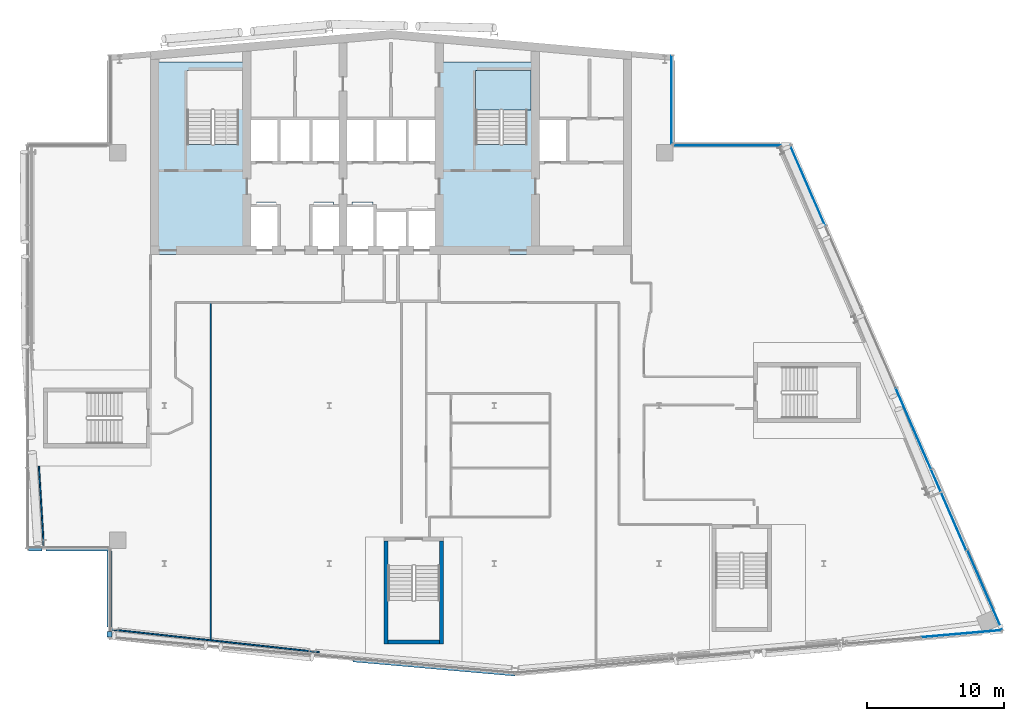
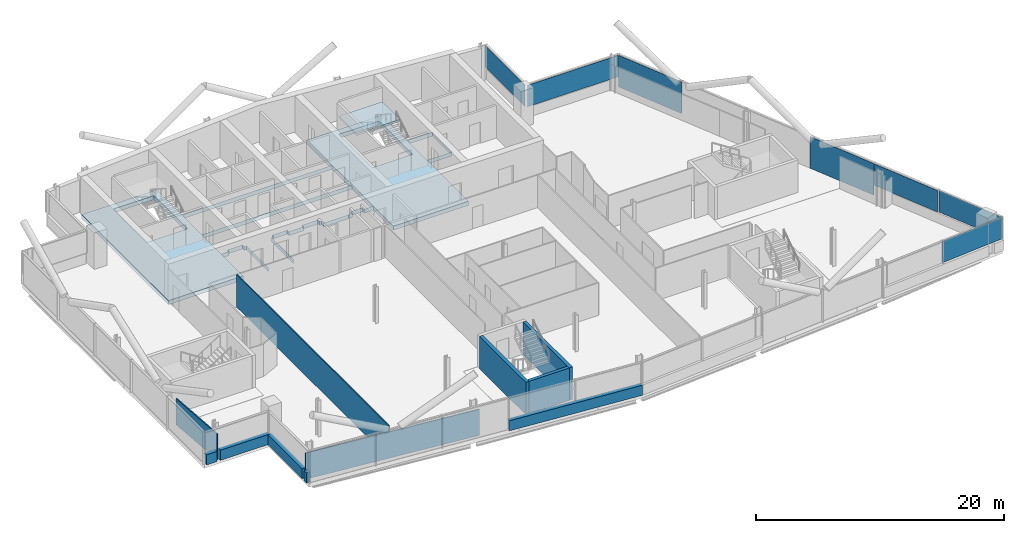
# One storey, part 14 of 26: 11 walls, 7 plates, 2 slabs, 5 elements without a shape of their own.
"""IFC4 building model written with IfcOpenShell, lengths in metres."""

from ifc_helpers import new_model, si_unit, direction, frame, frame_2d, origin, origin_2d, place, context, subcontext, project, spatial, polyline, rectangle, outline, extrude, material, layer, layer_set, type_object, element, aggregate, save


model = new_model("IFC4")

# Units and contexts
model_context = context("Model", 3, precision=1e-05, world=origin(), true_north=direction((0.0, 1.0)))
body_context = subcontext(model_context, "Body", "Model", "MODEL_VIEW")
ifc_project = project(units=[si_unit("LENGTHUNIT", "METRE"), si_unit("AREAUNIT", "SQUARE_METRE"), si_unit("VOLUMEUNIT", "CUBIC_METRE"), si_unit("PLANEANGLEUNIT", "RADIAN"), si_unit("MASSUNIT", "GRAM", prefix="KILO")], contexts=[model_context])

# Site, building, storey
site_placement = place(None, origin())
site = spatial("IfcSite", under=ifc_project, at=site_placement, CompositionType="ELEMENT")
building_placement = place(site_placement, origin())
building = spatial("IfcBuilding", under=site, at=building_placement, Name="Wharfspan Tower", CompositionType="ELEMENT")
storey_placement = place(building_placement, frame((0.0, 0.0, 235.899902)))
storey = spatial("IfcBuildingStorey", under=building, at=storey_placement, Name="L59", CompositionType="ELEMENT", Elevation=235.899902)

# Curtain wall, plate
ifc_material_1 = material(Name="Aluminium 6063-T6", Category="aluminium")
curtain_wall_type_1 = type_object("IfcCurtainWallType", Name="CURTAIN WALL FACETED FRONT", PredefinedType="NOTDEFINED", material=ifc_material_1)
curtain_wall_1_placement = place(storey_placement, origin())
curtain_wall_1 = element("IfcCurtainWall", 1, at=curtain_wall_1_placement, inside=storey, type_object=curtain_wall_type_1, Name="Curtain wall S2", PredefinedType="NOTDEFINED")
ifc_material_2 = material(Name="Glass clear low-iron double glazing", Category="glass")
ifc_layer_1 = layer(ifc_material_2, 0.040039)
ifc_layer_set_1 = layer_set([ifc_layer_1], Name="Glass clear low-iron double glazing")
plate_type_1 = type_object("IfcPlateType", Name="GLASS PANEL FACETED FRONT 40", PredefinedType="CURTAIN_PANEL", material=ifc_layer_set_1)
plate_1_placement = place(storey_placement, frame((82.021484, 6.399658, 1.0), z_axis=(0.0, 0.0, 1.0), x_axis=(0.996197, 0.087156, 0.0)))
plate_1 = element("IfcPlate", 2, at=plate_1_placement, type_object=plate_type_1, Name="Curtain wall S2 panel 6", PredefinedType="CURTAIN_PANEL", context=body_context, shape_type="SweptSolid", body=[
    extrude(rectangle(XDim=5.849365, YDim=0.040039, at=origin_2d()), origin(), (0.0, 0.0, 1.0), 2.120117),
])
aggregate(curtain_wall_1, [plate_1])

# Curtain wall, plates
curtain_wall_type_2 = type_object("IfcCurtainWallType", Name="CURTAIN WALL PROW AND END", PredefinedType="NOTDEFINED", material=ifc_material_1)
curtain_wall_2_placement = place(storey_placement, origin())
curtain_wall_2 = element("IfcCurtainWall", 3, at=curtain_wall_2_placement, inside=storey, type_object=curtain_wall_type_2, Name="Curtain wall E", PredefinedType="NOTDEFINED")
ifc_layer_2 = layer(ifc_material_2, 0.040039)
ifc_layer_set_2 = layer_set([ifc_layer_2], Name="Glass clear low-iron double glazing")
plate_type_2 = type_object("IfcPlateType", Name="GLASS PANEL PROW AND END 40", PredefinedType="CURTAIN_PANEL", material=ifc_layer_set_2)
plate_2_placement = place(storey_placement, frame((83.711426, 9.563721, 1.0), z_axis=(0.0, 0.0, 1.0), x_axis=(-0.398727, 0.917072, 0.0)))
plate_2 = element("IfcPlate", 4, at=plate_2_placement, type_object=plate_type_2, Name="Curtain wall E panel 1", PredefinedType="CURTAIN_PANEL", context=body_context, shape_type="SweptSolid", body=[
    extrude(rectangle(XDim=6.343506, YDim=0.040039, at=origin_2d()), origin(), (0.0, 0.0, 1.0), 2.120117),
])
plate_3_placement = place(storey_placement, frame((81.078857, 15.418213, 1.0), z_axis=(0.0, 0.0, 1.0), x_axis=(-0.398727, 0.917072, 0.0)))
plate_3 = element("IfcPlate", 5, at=plate_3_placement, type_object=plate_type_2, Name="Curtain wall E panel 2", PredefinedType="CURTAIN_PANEL", context=body_context, shape_type="SweptSolid", body=[
    extrude(rectangle(XDim=6.373535, YDim=0.040039, at=origin_2d()), origin(), (0.0, 0.0, 1.0), 2.120117),
])

# Curtain wall, plate
curtain_wall_3_placement = place(storey_placement, origin())
curtain_wall_3 = element("IfcCurtainWall", 6, at=curtain_wall_3_placement, inside=storey, type_object=curtain_wall_type_2, Name="Curtain wall NRE-H", PredefinedType="NOTDEFINED")
plate_4_placement = place(storey_placement, frame((65.304443, 41.919922, 1.0), z_axis=(0.0, 0.0, 1.0), x_axis=(-1.0, 0.0, 0.0)))
plate_4 = element("IfcPlate", 7, at=plate_4_placement, type_object=plate_type_2, Name="Curtain wall NRE-H panel 1", PredefinedType="CURTAIN_PANEL", context=body_context, shape_type="SweptSolid", body=[
    extrude(rectangle(XDim=8.48877, YDim=0.040039, at=origin_2d()), origin(), (0.0, 0.0, 1.0), 2.120117),
])
aggregate(curtain_wall_3, [plate_4])

curtain_wall_4_placement = place(storey_placement, origin())
curtain_wall_4 = element("IfcCurtainWall", 8, at=curtain_wall_4_placement, inside=storey, type_object=curtain_wall_type_2, Name="Curtain wall NRE-V", PredefinedType="NOTDEFINED")
plate_5_placement = place(storey_placement, frame((60.919922, 45.262451, 1.0), z_axis=(0.0, 0.0, 1.0), x_axis=(0.0, 1.0, 0.0)))
plate_5 = element("IfcPlate", 9, at=plate_5_placement, type_object=plate_type_2, Name="Curtain wall NRE-V panel 1", PredefinedType="CURTAIN_PANEL", context=body_context, shape_type="SweptSolid", body=[
    extrude(rectangle(XDim=6.405029, YDim=0.040039, at=origin_2d()), origin(), (0.0, 0.0, 1.0), 2.120117),
])
aggregate(curtain_wall_4, [plate_5])

# Plate
ifc_material_3 = material(Name="Aluminium composite opaque insulated panel", Category="aluminium")
ifc_layer_3 = layer(ifc_material_3, 0.040039)
ifc_layer_set_3 = layer_set([ifc_layer_3], Name="Aluminium composite opaque insulated panel")
plate_type_3 = type_object("IfcPlateType", Name="INFILL PANEL PROW AND END OPAQUE 40", PredefinedType="SHEET", material=ifc_layer_set_3)
plate_6_placement = place(storey_placement, frame((78.513672, 21.318115, 0.0), z_axis=(0.0, 0.0, 1.0), x_axis=(-0.398727, 0.917072, 0.0)))
plate_6 = element("IfcPlate", 10, at=plate_6_placement, type_object=plate_type_3, Name="Curtain wall E panel 3", PredefinedType="SHEET", context=body_context, shape_type="SweptSolid", body=[
    extrude(rectangle(XDim=6.373535, YDim=0.040039, at=origin_2d()), origin(), (0.0, 0.0, 1.0), 3.120117),
])

plate_7_placement = place(storey_placement, frame((70.823975, 39.004395, 0.0), z_axis=(0.0, 0.0, 1.0), x_axis=(-0.398727, 0.917072, 0.0)))
plate_7 = element("IfcPlate", 11, at=plate_7_placement, type_object=plate_type_3, Name="Curtain wall E panel 6", PredefinedType="SHEET", context=body_context, shape_type="SweptSolid", body=[
    extrude(rectangle(XDim=6.343506, YDim=0.040039, at=origin_2d()), origin(), (0.0, 0.0, 1.0), 3.120117),
])

aggregate(curtain_wall_2, [plate_2, plate_3, plate_6, plate_7])

# Slab
ifc_material_4 = material(Name="Concrete C40/50", Category="concrete")
ifc_layer_4 = layer(ifc_material_4, 0.399902)
ifc_layer_set_4 = layer_set([ifc_layer_4], Name="Concrete C40/50")
slab_type_1 = type_object("IfcSlabType", Name="Post-tensioned flat slab 400", PredefinedType="FLOOR", material=ifc_layer_set_4)
slab_1_placement = place(storey_placement, frame((0.0, 0.0, -0.400146)))
element("IfcSlab", 12, at=slab_1_placement, inside=storey, type_object=slab_type_1, Name="Core floor slab L59 part 2", PredefinedType="FLOOR", context=body_context, shape_type="SweptSolid", body=[
    extrude(outline(polyline([(23.0, 34.0), (29.998047, 34.0), (29.998047, 37.550049), (29.998047, 37.550293), (29.998047, 37.550293), (29.998047, 37.550537), (29.998291, 37.550781), (29.998291, 37.550781), (29.998291, 37.551025), (29.998535, 37.55127), (29.998535, 37.551514), (29.998779, 37.551514), (29.998779, 37.551758), (29.999023, 37.551758), (29.999268, 37.551758), (29.999512, 37.552002), (29.999512, 37.552002), (29.999756, 37.552002), (30.0, 37.552002), (30.7146, 37.552002), (30.7146, 37.800049), (30.7146, 37.800293), (30.7146, 37.800293), (30.714844, 37.800537), (30.714844, 37.800781), (30.714844, 37.800781), (30.715088, 37.801025), (30.715088, 37.80127), (30.715332, 37.801514), (30.715332, 37.801514), (30.715576, 37.801758), (30.71582, 37.801758), (30.71582, 37.801758), (30.716064, 37.802002), (30.716309, 37.802002), (30.716553, 37.802002), (30.716797, 37.802002), (32.116699, 37.802002), (32.116943, 37.802002), (32.117188, 37.802002), (32.117188, 37.802002), (32.117432, 37.801758), (32.117676, 37.801758), (32.11792, 37.801758), (32.11792, 37.801514), (32.118164, 37.801514), (32.118164, 37.80127), (32.118408, 37.801025), (32.118408, 37.800781), (32.118408, 37.800781), (32.118652, 37.800537), (32.118652, 37.800293), (32.118652, 37.800293), (32.118652, 37.800049), (32.118652, 37.552002), (32.333252, 37.552002), (32.333496, 37.552002), (32.33374, 37.552002), (32.333984, 37.552002), (32.333984, 37.551758), (32.334229, 37.551758), (32.334473, 37.551758), (32.334717, 37.551514), (32.334717, 37.551514), (32.334961, 37.55127), (32.334961, 37.551025), (32.335205, 37.550781), (32.335205, 37.550781), (32.335205, 37.550537), (32.335205, 37.550293), (32.335205, 37.550293), (32.335205, 37.550049), (32.335205, 34.0), (32.341309, 34.0), (32.341309, 37.558105), (32.126709, 37.558105), (32.126465, 37.558105), (32.126221, 37.558105), (32.126221, 37.558105), (32.125977, 37.558105), (32.125732, 37.558105), (32.125488, 37.55835), (32.125488, 37.558594), (32.125244, 37.558594), (32.125244, 37.558594), (32.125, 37.558838), (32.125, 37.559082), (32.125, 37.559082), (32.124756, 37.559326), (32.124756, 37.55957), (32.124756, 37.559814), (32.124756, 37.560059), (32.124756, 37.808105), (30.70874, 37.808105), (30.70874, 37.560059), (30.70874, 37.559814), (30.70874, 37.55957), (30.708496, 37.559326), (30.708496, 37.559082), (30.708496, 37.559082), (30.708496, 37.558838), (30.708252, 37.558594), (30.708008, 37.558594), (30.708008, 37.558594), (30.707764, 37.55835), (30.70752, 37.558105), (30.70752, 37.558105), (30.707275, 37.558105), (30.707031, 37.558105), (30.706787, 37.558105), (30.706787, 37.558105), (30.01001, 37.558105), (30.009766, 37.558105), (30.009521, 37.558105), (30.009521, 37.558105), (30.009277, 37.558105), (30.009033, 37.558105), (30.008789, 37.55835), (30.008789, 37.558594), (30.008545, 37.558594), (30.008545, 37.558594), (30.008301, 37.558838), (30.008301, 37.559082), (30.008301, 37.559082), (30.008057, 37.559326), (30.008057, 37.55957), (30.008057, 37.559814), (30.008057, 37.560059), (30.008057, 40.689941), (30.008057, 40.690186), (30.008057, 40.69043), (30.008057, 40.690674), (30.008301, 40.690918), (30.008301, 40.690918), (30.008301, 40.691162), (30.008545, 40.691406), (30.008545, 40.691406), (30.008789, 40.691406), (30.008789, 40.69165), (30.009033, 40.691895), (30.009277, 40.691895), (30.009521, 40.691895), (30.009521, 40.691895), (30.009766, 40.691895), (30.01001, 40.691895), (43.98999, 40.691895), (43.990234, 40.691895), (43.990479, 40.691895), (43.990479, 40.691895), (43.990723, 40.691895), (43.990967, 40.691895), (43.991211, 40.69165), (43.991211, 40.691406), (43.991455, 40.691406), (43.991455, 40.691406), (43.991699, 40.691162), (43.991699, 40.690918), (43.991699, 40.690918), (43.991943, 40.690674), (43.991943, 40.69043), (43.991943, 40.690186), (43.991943, 40.689941), (43.991943, 37.26001), (43.991943, 37.259766), (43.991943, 37.259521), (43.991943, 37.259521), (43.991699, 37.259277), (43.991699, 37.259033), (43.991699, 37.258789), (43.991455, 37.258789), (43.991455, 37.258545), (43.991211, 37.258545), (43.991211, 37.258301), (43.990967, 37.258301), (43.990723, 37.258301), (43.990479, 37.258057), (43.990479, 37.258057), (43.990234, 37.258057), (43.98999, 37.258057), (43.143311, 37.258057), (43.143066, 37.258057), (43.142822, 37.258057), (43.142578, 37.258057), (43.142578, 37.258301), (43.142334, 37.258301), (43.14209, 37.258301), (43.14209, 37.258545), (43.141846, 37.258545), (43.141846, 37.258789), (43.141602, 37.258789), (43.141602, 37.259033), (43.141602, 37.259277), (43.141357, 37.259521), (43.141357, 37.259521), (43.141357, 37.259766), (43.141357, 37.26001), (43.141357, 37.508057), (42.025391, 37.508057), (42.025391, 37.26001), (42.025391, 37.259766), (42.025391, 37.259521), (42.025146, 37.259521), (42.025146, 37.259277), (42.025146, 37.259033), (42.024902, 37.258789), (42.024902, 37.258789), (42.024658, 37.258545), (42.024658, 37.258545), (42.024414, 37.258301), (42.02417, 37.258301), (42.02417, 37.258301), (42.023926, 37.258057), (42.023682, 37.258057), (42.023438, 37.258057), (42.023193, 37.258057), (41.658691, 37.258057), (41.658691, 37.209961), (41.658691, 37.209717), (41.658691, 37.209717), (41.658691, 37.209473), (41.658447, 37.209229), (41.658447, 37.208984), (41.658447, 37.208984), (41.658203, 37.20874), (41.658203, 37.208496), (41.657959, 37.208496), (41.657715, 37.208252), (41.657715, 37.208252), (41.657471, 37.208252), (41.657227, 37.208008), (41.656982, 37.208008), (41.656982, 37.208008), (41.656738, 37.208008), (39.343262, 37.208008), (39.343018, 37.208008), (39.343018, 37.208008), (39.342773, 37.208008), (39.342529, 37.208252), (39.342285, 37.208252), (39.342285, 37.208252), (39.342041, 37.208496), (39.341797, 37.208496), (39.341797, 37.20874), (39.341553, 37.208984), (39.341553, 37.208984), (39.341553, 37.209229), (39.341309, 37.209473), (39.341309, 37.209717), (39.341309, 37.209717), (39.341309, 37.209961), (39.341309, 37.558105), (39.166748, 37.558105), (39.166504, 37.558105), (39.16626, 37.558105), (39.166016, 37.558105), (39.166016, 37.558105), (39.165771, 37.558105), (39.165527, 37.55835), (39.165283, 37.558594), (39.165283, 37.558594), (39.165283, 37.558594), (39.165039, 37.558838), (39.164795, 37.559082), (39.164795, 37.559082), (39.164795, 37.559326), (39.164795, 37.55957), (39.164795, 37.559814), (39.164795, 37.560059), (39.164795, 37.808105), (37.668701, 37.808105), (37.668701, 37.560059), (37.668701, 37.559814), (37.668701, 37.55957), (37.668701, 37.559326), (37.668457, 37.559082), (37.668457, 37.559082), (37.668457, 37.558838), (37.668213, 37.558594), (37.668213, 37.558594), (37.667969, 37.558594), (37.667725, 37.55835), (37.66748, 37.558105), (37.66748, 37.558105), (37.667236, 37.558105), (37.666992, 37.558105), (37.666992, 37.558105), (37.666748, 37.558105), (36.293213, 37.558105), (36.293213, 37.558105), (36.292969, 37.558105), (36.292725, 37.558105), (36.29248, 37.558105), (36.29248, 37.558105), (36.292236, 37.55835), (36.291992, 37.558594), (36.291992, 37.558594), (36.291748, 37.558594), (36.291504, 37.558838), (36.291504, 37.559082), (36.291504, 37.559082), (36.291504, 37.559326), (36.29126, 37.55957), (36.29126, 37.559814), (36.29126, 37.560059), (36.29126, 37.808105), (34.875244, 37.808105), (34.875244, 37.560059), (34.875244, 37.559814), (34.875244, 37.55957), (34.875244, 37.559326), (34.875, 37.559082), (34.875, 37.559082), (34.875, 37.558838), (34.874756, 37.558594), (34.874756, 37.558594), (34.874512, 37.558594), (34.874512, 37.55835), (34.874268, 37.558105), (34.874023, 37.558105), (34.873779, 37.558105), (34.873779, 37.558105), (34.873535, 37.558105), (34.873291, 37.558105), (34.658691, 37.558105), (34.658691, 34.0), (34.664795, 34.0), (34.664795, 37.550049), (34.664795, 37.550293), (34.664795, 37.550293), (34.664795, 37.550537), (34.664795, 37.550781), (34.664795, 37.550781), (34.665039, 37.551025), (34.665039, 37.55127), (34.665283, 37.551514), (34.665283, 37.551514), (34.665527, 37.551758), (34.665771, 37.551758), (34.666016, 37.551758), (34.666016, 37.552002), (34.66626, 37.552002), (34.666504, 37.552002), (34.666748, 37.552002), (34.881348, 37.552002), (34.881348, 37.800049), (34.881348, 37.800293), (34.881348, 37.800293), (34.881348, 37.800537), (34.881592, 37.800781), (34.881592, 37.800781), (34.881592, 37.801025), (34.881836, 37.80127), (34.881836, 37.801514), (34.88208, 37.801514), (34.88208, 37.801758), (34.882324, 37.801758), (34.882568, 37.801758), (34.882812, 37.802002), (34.882812, 37.802002), (34.883057, 37.802002), (34.883301, 37.802002), (36.283203, 37.802002), (36.283447, 37.802002), (36.283691, 37.802002), (36.283936, 37.802002), (36.28418, 37.801758), (36.28418, 37.801758), (36.284424, 37.801758), (36.284668, 37.801514), (36.284668, 37.801514), (36.284912, 37.80127), (36.284912, 37.801025), (36.285156, 37.800781), (36.285156, 37.800781), (36.285156, 37.800537), (36.2854, 37.800293), (36.2854, 37.800293), (36.2854, 37.800049), (36.2854, 37.552002), (37.674805, 37.552002), (37.674805, 37.800049), (37.674805, 37.800293), (37.674805, 37.800293), (37.674805, 37.800537), (37.674805, 37.800781), (37.674805, 37.800781), (37.675049, 37.801025), (37.675049, 37.80127), (37.675293, 37.801514), (37.675293, 37.801514), (37.675537, 37.801758), (37.675781, 37.801758), (37.675781, 37.801758), (37.676025, 37.802002), (37.67627, 37.802002), (37.676514, 37.802002), (37.676758, 37.802002), (39.156738, 37.802002), (39.156982, 37.802002), (39.156982, 37.802002), (39.157227, 37.802002), (39.157471, 37.801758), (39.157715, 37.801758), (39.157715, 37.801758), (39.157959, 37.801514), (39.158203, 37.801514), (39.158203, 37.80127), (39.158203, 37.801025), (39.158447, 37.800781), (39.158447, 37.800781), (39.158691, 37.800537), (39.158691, 37.800293), (39.158691, 37.800293), (39.158691, 37.800049), (39.158691, 37.552002), (39.333252, 37.552002), (39.333496, 37.552002), (39.33374, 37.552002), (39.333984, 37.552002), (39.333984, 37.551758), (39.334229, 37.551758), (39.334473, 37.551758), (39.334717, 37.551514), (39.334717, 37.551514), (39.334961, 37.55127), (39.334961, 37.551025), (39.335205, 37.550781), (39.335205, 37.550781), (39.335205, 37.550537), (39.335205, 37.550293), (39.335205, 37.550293), (39.335205, 37.550049), (39.335205, 37.201904), (41.664795, 37.201904), (41.664795, 37.25), (41.664795, 37.250244), (41.664795, 37.250488), (41.664795, 37.250488), (41.664795, 37.250732), (41.664795, 37.250977), (41.665039, 37.251221), (41.665039, 37.251221), (41.665283, 37.251465), (41.665283, 37.251465), (41.665527, 37.251709), (41.665771, 37.251709), (41.666016, 37.251709), (41.666016, 37.251953), (41.66626, 37.251953), (41.666504, 37.251953), (41.666748, 37.251953), (42.03125, 37.251953), (42.03125, 37.5), (42.03125, 37.500244), (42.031494, 37.500488), (42.031494, 37.500488), (42.031494, 37.500732), (42.031494, 37.500977), (42.031738, 37.501221), (42.031738, 37.501221), (42.031982, 37.501465), (42.031982, 37.501465), (42.032227, 37.501709), (42.032471, 37.501709), (42.032715, 37.501709), (42.032715, 37.501953), (42.032959, 37.501953), (42.033203, 37.501953), (42.033203, 37.501953), (43.133301, 37.501953), (43.133545, 37.501953), (43.133789, 37.501953), (43.133789, 37.501953), (43.134033, 37.501709), (43.134277, 37.501709), (43.134521, 37.501709), (43.134521, 37.501465), (43.134766, 37.501465), (43.13501, 37.501221), (43.13501, 37.501221), (43.13501, 37.500977), (43.135254, 37.500732), (43.135254, 37.500488), (43.135254, 37.500488), (43.135254, 37.500244), (43.135254, 37.5), (43.135254, 37.251953), (44.0, 37.251953), (44.000244, 37.251953), (44.000488, 37.251953), (44.000488, 37.251953), (44.000732, 37.251709), (44.000977, 37.251709), (44.001221, 37.251709), (44.001221, 37.251465), (44.001465, 37.251465), (44.001465, 37.251221), (44.001709, 37.251221), (44.001709, 37.250977), (44.001709, 37.250732), (44.001953, 37.250488), (44.001953, 37.250488), (44.001953, 37.250244), (44.001953, 37.25), (44.001953, 34.0), (51.0, 34.0), (51.008057, 34.0), (51.008057, 40.689941), (51.008057, 40.690186), (51.008057, 40.69043), (51.008057, 40.690674), (51.008301, 40.690918), (51.008301, 40.690918), (51.008301, 40.691162), (51.008545, 40.691406), (51.008545, 40.691406), (51.008789, 40.691406), (51.008789, 40.69165), (51.009033, 40.691895), (51.009277, 40.691895), (51.009521, 40.691895), (51.009521, 40.691895), (51.009766, 40.691895), (51.01001, 40.691895), (53.341309, 40.691895), (53.341309, 43.907959), (51.01001, 43.907959), (51.009766, 43.907959), (51.009521, 43.907959), (51.009521, 43.908203), (51.009277, 43.908203), (51.009033, 43.908203), (51.008789, 43.908203), (51.008789, 43.908447), (51.008545, 43.908691), (51.008545, 43.908691), (51.008301, 43.908936), (51.008301, 43.90918), (51.008301, 43.90918), (51.008057, 43.909424), (51.008057, 43.909668), (51.008057, 43.909912), (51.008057, 43.909912), (51.008057, 48.008057), (43.991943, 48.008057), (43.991943, 43.909912), (43.991943, 43.909912), (43.991943, 43.909668), (43.991943, 43.909424), (43.991699, 43.90918), (43.991699, 43.90918), (43.991699, 43.908936), (43.991455, 43.908691), (43.991455, 43.908691), (43.991211, 43.908447), (43.991211, 43.908203), (43.990967, 43.908203), (43.990723, 43.908203), (43.990479, 43.908203), (43.990479, 43.907959), (43.990234, 43.907959), (43.98999, 43.907959), (30.01001, 43.907959), (30.009766, 43.907959), (30.009521, 43.907959), (30.009521, 43.908203), (30.009277, 43.908203), (30.009033, 43.908203), (30.008789, 43.908203), (30.008789, 43.908447), (30.008545, 43.908691), (30.008545, 43.908691), (30.008301, 43.908936), (30.008301, 43.90918), (30.008301, 43.90918), (30.008057, 43.909424), (30.008057, 43.909668), (30.008057, 43.909912), (30.008057, 43.909912), (30.008057, 48.008057), (23.0, 48.008057), (23.0, 48.0), (23.0, 34.0)]), holes=[polyline([(53.333252, 43.9021), (53.333496, 43.9021), (53.33374, 43.9021), (53.333984, 43.901855), (53.333984, 43.901855), (53.334229, 43.901855), (53.334473, 43.901611), (53.334717, 43.901611), (53.334717, 43.901367), (53.334961, 43.901367), (53.334961, 43.901123), (53.335205, 43.900879), (53.335205, 43.900879), (53.335205, 43.900635), (53.335205, 43.900391), (53.335205, 43.900146), (53.335205, 43.899902), (53.335205, 40.699951), (53.335205, 40.699707), (53.335205, 40.699707), (53.335205, 40.699463), (53.335205, 40.699219), (53.335205, 40.699219), (53.334961, 40.698975), (53.334961, 40.69873), (53.334717, 40.698486), (53.334717, 40.698486), (53.334473, 40.698242), (53.334229, 40.698242), (53.333984, 40.698242), (53.333984, 40.697998), (53.33374, 40.697998), (53.333496, 40.697998), (53.333252, 40.697998), (51.0, 40.697998), (50.999756, 40.697998), (50.999512, 40.697998), (50.999512, 40.697998), (50.999268, 40.698242), (50.999023, 40.698242), (50.998779, 40.698242), (50.998779, 40.698486), (50.998535, 40.698486), (50.998535, 40.69873), (50.998291, 40.698975), (50.998291, 40.699219), (50.998291, 40.699219), (50.998047, 40.699463), (50.998047, 40.699707), (50.998047, 40.699707), (50.998047, 40.699951), (50.998047, 43.899902), (50.998047, 43.900146), (50.998047, 43.900391), (50.998047, 43.900635), (50.998291, 43.900879), (50.998291, 43.900879), (50.998291, 43.901123), (50.998535, 43.901367), (50.998535, 43.901367), (50.998779, 43.901611), (50.998779, 43.901611), (50.999023, 43.901855), (50.999268, 43.901855), (50.999512, 43.901855), (50.999512, 43.9021), (50.999756, 43.9021), (51.0, 43.9021), (53.333252, 43.9021)]), polyline([(46.649902, 41.998047), (46.649902, 41.998047), (46.649658, 41.998047), (46.649414, 41.998047), (46.64917, 41.998291), (46.64917, 41.998291), (46.648926, 41.998291), (46.648682, 41.998535), (46.648682, 41.998535), (46.648438, 41.998779), (46.648193, 41.998779), (46.648193, 41.999023), (46.648193, 41.999268), (46.648193, 41.999512), (46.647949, 41.999512), (46.647949, 41.999756), (46.647949, 42.0), (46.647949, 47.399902), (46.647949, 47.400146), (46.647949, 47.400391), (46.648193, 47.400635), (46.648193, 47.400879), (46.648193, 47.400879), (46.648193, 47.401123), (46.648438, 47.401367), (46.648682, 47.401367), (46.648682, 47.401611), (46.648926, 47.401611), (46.64917, 47.401855), (46.64917, 47.401855), (46.649414, 47.401855), (46.649658, 47.4021), (46.649902, 47.4021), (46.649902, 47.4021), (50.399902, 47.4021), (50.400146, 47.4021), (50.400391, 47.4021), (50.400635, 47.401855), (50.400879, 47.401855), (50.400879, 47.401855), (50.401123, 47.401611), (50.401367, 47.401611), (50.401367, 47.401367), (50.401611, 47.401367), (50.401611, 47.401123), (50.401855, 47.400879), (50.401855, 47.400879), (50.401855, 47.400635), (50.4021, 47.400391), (50.4021, 47.400146), (50.4021, 47.399902), (50.4021, 42.0), (50.4021, 41.999756), (50.4021, 41.999512), (50.401855, 41.999512), (50.401855, 41.999268), (50.401855, 41.999023), (50.401611, 41.998779), (50.401611, 41.998779), (50.401367, 41.998535), (50.401367, 41.998535), (50.401123, 41.998291), (50.400879, 41.998291), (50.400879, 41.998291), (50.400635, 41.998047), (50.400391, 41.998047), (50.400146, 41.998047), (50.399902, 41.998047), (46.649902, 41.998047)]), polyline([(44.0, 43.9021), (44.000244, 43.9021), (44.000488, 43.9021), (44.000488, 43.901855), (44.000732, 43.901855), (44.000977, 43.901855), (44.001221, 43.901611), (44.001221, 43.901611), (44.001465, 43.901367), (44.001465, 43.901367), (44.001709, 43.901123), (44.001709, 43.900879), (44.001709, 43.900879), (44.001953, 43.900635), (44.001953, 43.900391), (44.001953, 43.900146), (44.001953, 43.899902), (44.001953, 40.699951), (44.001953, 40.699707), (44.001953, 40.699707), (44.001953, 40.699463), (44.001709, 40.699219), (44.001709, 40.699219), (44.001709, 40.698975), (44.001465, 40.69873), (44.001465, 40.698486), (44.001221, 40.698486), (44.001221, 40.698242), (44.000977, 40.698242), (44.000732, 40.698242), (44.000488, 40.697998), (44.000488, 40.697998), (44.000244, 40.697998), (44.0, 40.697998), (30.0, 40.697998), (29.999756, 40.697998), (29.999512, 40.697998), (29.999512, 40.697998), (29.999268, 40.698242), (29.999023, 40.698242), (29.998779, 40.698242), (29.998779, 40.698486), (29.998535, 40.698486), (29.998535, 40.69873), (29.998291, 40.698975), (29.998291, 40.699219), (29.998291, 40.699219), (29.998047, 40.699463), (29.998047, 40.699707), (29.998047, 40.699707), (29.998047, 40.699951), (29.998047, 43.899902), (29.998047, 43.900146), (29.998047, 43.900391), (29.998047, 43.900635), (29.998291, 43.900879), (29.998291, 43.900879), (29.998291, 43.901123), (29.998535, 43.901367), (29.998535, 43.901367), (29.998779, 43.901611), (29.998779, 43.901611), (29.999023, 43.901855), (29.999268, 43.901855), (29.999512, 43.901855), (29.999512, 43.9021), (29.999756, 43.9021), (30.0, 43.9021), (44.0, 43.9021)]), polyline([(29.4021, 42.0), (29.4021, 41.999756), (29.4021, 41.999512), (29.401855, 41.999512), (29.401855, 41.999268), (29.401855, 41.999023), (29.401611, 41.998779), (29.401611, 41.998779), (29.401367, 41.998535), (29.401367, 41.998535), (29.401123, 41.998291), (29.400879, 41.998291), (29.400879, 41.998291), (29.400635, 41.998047), (29.400391, 41.998047), (29.400146, 41.998047), (29.399902, 41.998047), (25.649902, 41.998047), (25.649902, 41.998047), (25.649658, 41.998047), (25.649414, 41.998047), (25.64917, 41.998291), (25.64917, 41.998291), (25.648926, 41.998291), (25.648682, 41.998535), (25.648682, 41.998535), (25.648438, 41.998779), (25.648193, 41.998779), (25.648193, 41.999023), (25.648193, 41.999268), (25.648193, 41.999512), (25.647949, 41.999512), (25.647949, 41.999756), (25.647949, 42.0), (25.647949, 47.399902), (25.647949, 47.400146), (25.647949, 47.400391), (25.648193, 47.400635), (25.648193, 47.400879), (25.648193, 47.400879), (25.648193, 47.401123), (25.648438, 47.401367), (25.648682, 47.401367), (25.648682, 47.401611), (25.648926, 47.401611), (25.64917, 47.401855), (25.64917, 47.401855), (25.649414, 47.401855), (25.649658, 47.4021), (25.649902, 47.4021), (25.649902, 47.4021), (29.399902, 47.4021), (29.400146, 47.4021), (29.400391, 47.4021), (29.400635, 47.401855), (29.400879, 47.401855), (29.400879, 47.401855), (29.401123, 47.401611), (29.401367, 47.401611), (29.401367, 47.401367), (29.401611, 47.401367), (29.401611, 47.401123), (29.401855, 47.400879), (29.401855, 47.400879), (29.401855, 47.400635), (29.4021, 47.400391), (29.4021, 47.400146), (29.4021, 47.399902), (29.4021, 42.0)])]), origin(), (0.0, 0.0, 1.0), 0.400146),
])

# Stair, slab
stair_type = type_object("IfcStairType", Name="Half-turn stair 20 risers 180 mm", PredefinedType="HALF_TURN_STAIR", material=ifc_material_4)
stair_placement = place(storey_placement, origin())
stair = element("IfcStair", 13, at=stair_placement, inside=storey, type_object=stair_type, Name="L59 stair ST2", PredefinedType="HALF_TURN_STAIR")
ifc_layer_5 = layer(ifc_material_4, 0.199951)
ifc_layer_set_5 = layer_set([ifc_layer_5], Name="Concrete C40/50")
slab_type_2 = type_object("IfcSlabType", Name="Stair landing 200", PredefinedType="LANDING", material=ifc_layer_set_5)
slab_2_placement = place(storey_placement, frame((0.0, 0.0, 1.599854)))
slab_2 = element("IfcSlab", 14, at=slab_2_placement, type_object=slab_type_2, Name="ST2 landing 1", PredefinedType="LANDING", context=body_context, shape_type="SweptSolid", body=[
    extrude(outline(polyline([(46.649902, 44.52002), (50.699951, 44.52002), (50.699951, 47.399902), (46.649902, 47.399902), (46.649902, 44.52002)])), origin(), (0.0, 0.0, 1.0), 0.200195),
])
aggregate(stair, [slab_2])

# Walls
ifc_material_5 = material(Name="Gypsum board on steel studs", Category="steel")
ifc_layer_6 = layer(ifc_material_5, 0.100098)
ifc_layer_set_6 = layer_set([ifc_layer_6], Name="Gypsum board on steel studs")
wall_type_1 = type_object("IfcWallType", Name="Compartment wall 100 EI 60", PredefinedType="PARTITIONING", material=ifc_layer_set_6)
wall_1_placement = place(storey_placement, frame((27.375, 5.915039, 0.0), z_axis=(0.0, 0.0, 1.0), x_axis=(0.0, 1.0, 0.0)))
element("IfcWall", 15, at=wall_1_placement, inside=storey, type_object=wall_type_1, Name="Partition L59.w011", PredefinedType="PARTITIONING", context=body_context, shape_type="SweptSolid", body=[
    extrude(rectangle(XDim=24.584961, YDim=0.100098, at=frame_2d((12.29248, 0.0))), origin(), (0.0, 0.0, 1.0), 3.200195),
])
ifc_layer_7 = layer(ifc_material_5, 0.100098)
ifc_layer_set_7 = layer_set([ifc_layer_7], Name="Gypsum board on steel studs")
wall_type_2 = type_object("IfcWallType", Name="Partition 100", PredefinedType="PARTITIONING", material=ifc_layer_set_7)
wall_2_placement = place(storey_placement, frame((15.223877, 12.620117, 0.0), z_axis=(0.0, 0.0, 1.0), x_axis=(-0.060759, 0.998149, 0.0)))
element("IfcWall", 16, at=wall_2_placement, inside=storey, type_object=wall_type_2, Name="Partition L59.w003", PredefinedType="PARTITIONING", context=body_context, shape_type="SweptSolid", body=[
    extrude(rectangle(XDim=5.970947, YDim=0.100098, at=frame_2d((2.985352, 0.0))), origin(), (0.0, 0.0, 1.0), 2.580078),
])
wall_3_placement = place(storey_placement, frame((35.274902, 5.054932, 0.0), z_axis=(0.0, 0.0, 1.0), x_axis=(-0.994128, 0.108228, 0.0)))
element("IfcWall", 17, at=wall_3_placement, inside=storey, type_object=wall_type_2, Name="Partition L59.w012", PredefinedType="PARTITIONING", context=body_context, shape_type="SweptSolid", body=[
    extrude(rectangle(XDim=15.334961, YDim=0.100098, at=frame_2d((7.66748, 0.0))), origin(), (0.0, 0.0, 1.0), 2.580078),
])
ifc_layer_8 = layer(ifc_material_4, 0.350098)
ifc_layer_set_8 = layer_set([ifc_layer_8], Name="Concrete C40/50")
wall_type_3 = type_object("IfcWallType", Name="SPANDREL EXPOSED CONCRETE 350", PredefinedType="SOLIDWALL", material=ifc_layer_set_8)
wall_4_placement = place(storey_placement, frame((37.729492, 4.519043, 0.0), z_axis=(0.0, 0.0, 1.0), x_axis=(0.99619, -0.087167, 0.0)))
element("IfcWall", 18, at=wall_4_placement, inside=storey, type_object=wall_type_3, Name="Spandrel upstand L59 S1", PredefinedType="SOLIDWALL", context=body_context, shape_type="SweptSolid", body=[
    extrude(rectangle(XDim=11.830566, YDim=0.350098, at=frame_2d((5.915283, 0.0))), origin(), (0.0, 0.0, 1.0), 1.0),
])
wall_5_placement = place(storey_placement, frame((14.120117, 12.594971, 0.0), z_axis=(0.0, 0.0, 1.0), x_axis=(1.0, 0.0, 0.0)))
element("IfcWall", 19, at=wall_5_placement, inside=storey, type_object=wall_type_3, Name="Spandrel upstand L59 NFW-H", PredefinedType="SOLIDWALL", context=body_context, shape_type="SweptSolid", body=[
    extrude(rectangle(XDim=0.9646, YDim=0.350098, at=frame_2d((0.482422, 0.0))), origin(), (0.0, 0.0, 1.0), 1.0),
])
wall_6_placement = place(storey_placement, frame((15.390625, 12.594971, 0.0), z_axis=(0.0, 0.0, 1.0), x_axis=(1.0, 0.0, 0.0)))
element("IfcWall", 20, at=wall_6_placement, inside=storey, type_object=wall_type_3, Name="Spandrel upstand L59 NFW-H 2", PredefinedType="SOLIDWALL", context=body_context, shape_type="SweptSolid", body=[
    extrude(rectangle(XDim=4.609375, YDim=0.350098, at=frame_2d((2.304688, 0.0))), origin(), (0.0, 0.0, 1.0), 1.0),
])
wall_7_placement = place(storey_placement, frame((19.995117, 12.419922, 0.0), z_axis=(0.0, 0.0, 1.0), x_axis=(0.0, -1.0, 0.0)))
element("IfcWall", 21, at=wall_7_placement, inside=storey, type_object=wall_type_3, Name="Spandrel upstand L59 NFW-V", PredefinedType="SOLIDWALL", context=body_context, shape_type="SweptSolid", body=[
    extrude(rectangle(XDim=5.542236, YDim=0.350098, at=frame_2d((2.770996, 0.0))), origin(), (0.0, 0.0, 1.0), 1.0),
])
wall_8_placement = place(storey_placement, frame((19.995117, 6.568359, 0.0), z_axis=(0.0, 0.0, 1.0), x_axis=(0.0, -1.0, 0.0)))
element("IfcWall", 22, at=wall_8_placement, inside=storey, type_object=wall_type_3, Name="Spandrel upstand L59 NFW-V 2", PredefinedType="SOLIDWALL", context=body_context, shape_type="SweptSolid", body=[
    extrude(rectangle(XDim=0.393555, YDim=0.350098, at=frame_2d((0.196777, 0.0))), origin(), (0.0, 0.0, 1.0), 1.0),
])
ifc_layer_9 = layer(ifc_material_4, 0.300049)
ifc_layer_set_9 = layer_set([ifc_layer_9], Name="Concrete C40/50")
wall_type_4 = type_object("IfcWallType", Name="Stair core wall 300", PredefinedType="SHEAR", material=ifc_layer_set_9)
for number, where, z_axis, x_axis, name in (
    (23, (40.127197, 5.643311, 0.0), (0.0, 0.0, 1.0), (0.0, 1.0, 0.0), "ST4 stair enclosure wall L59"),
    (24, (44.177002, 5.643311, 0.0), (0.0, 0.0, 1.0), (0.0, 1.0, 0.0), "ST4 stair enclosure wall L59"),
):
    element("IfcWall", number, at=place(storey_placement, frame(where, z_axis=z_axis, x_axis=x_axis)), inside=storey, type_object=wall_type_4, Name=name, PredefinedType="SHEAR", context=body_context, shape_type="SweptSolid", body=[
        extrude(rectangle(XDim=7.5, YDim=0.300049, at=frame_2d((3.75, 0.0))), origin(), (0.0, 0.0, 1.0), 3.200195),
    ])
wall_9_placement = place(storey_placement, frame((40.2771, 5.793213, 0.0), z_axis=(0.0, 0.0, 1.0), x_axis=(1.0, 0.0, 0.0)))
element("IfcWall", 25, at=wall_9_placement, inside=storey, type_object=wall_type_4, Name="ST4 stair enclosure wall L59", PredefinedType="SHEAR", context=body_context, shape_type="SweptSolid", body=[
    extrude(rectangle(XDim=3.75, YDim=0.300049, at=frame_2d((1.875, 0.0))), origin(), (0.0, 0.0, 1.0), 3.200195),
])

save(model, "model.ifc")
